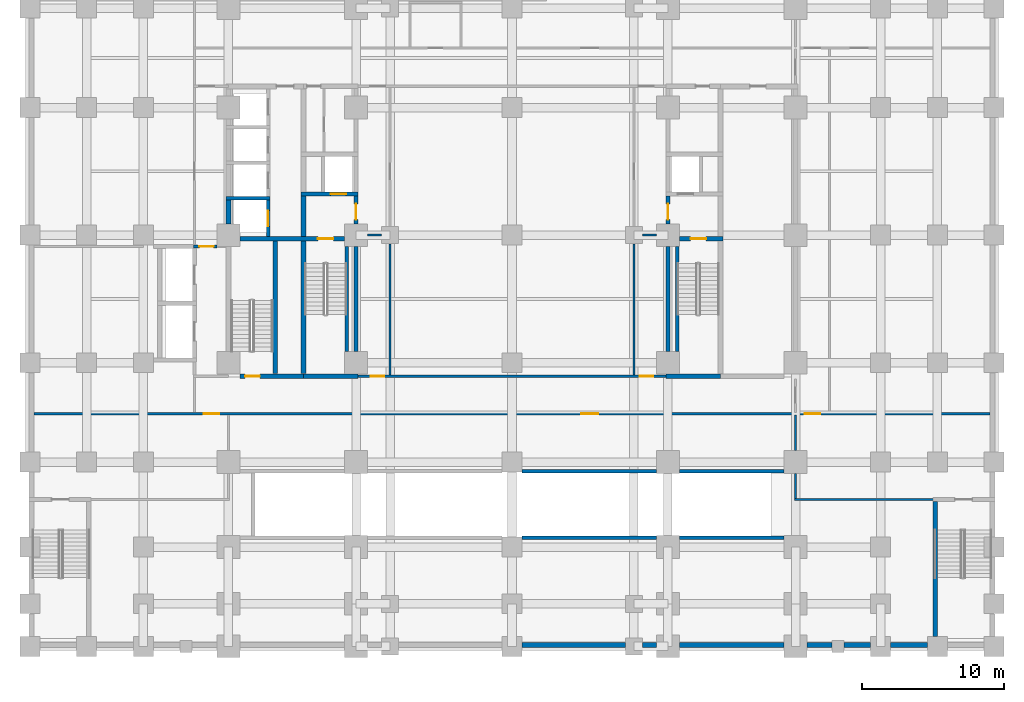
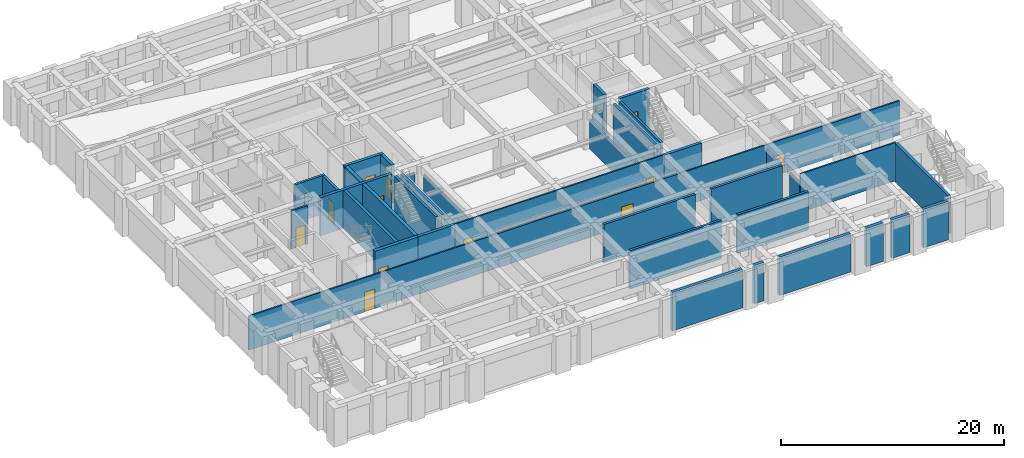
# One storey, part 5 of 14: 39 walls, 13 doors, 13 openings.
"""IFC4 building model written with IfcOpenShell, lengths in metres."""

from ifc_helpers import new_model, si_unit, direction, frame, frame_2d, origin, place, context, subcontext, project, spatial, rectangle, extrude, material, layer, layer_set, type_object, element, fill, save


model = new_model("IFC4")

# Units and contexts
model_context = context("Model", 3, precision=1e-05, world=origin(), true_north=direction((0.0, 1.0)))
body_context = subcontext(model_context, "Body", "Model", "MODEL_VIEW")
ifc_project = project(units=[si_unit("LENGTHUNIT", "METRE"), si_unit("AREAUNIT", "SQUARE_METRE"), si_unit("VOLUMEUNIT", "CUBIC_METRE"), si_unit("PLANEANGLEUNIT", "RADIAN"), si_unit("MASSUNIT", "GRAM", prefix="KILO")], contexts=[model_context])

# Site, building, storey
site_placement = place(None, origin())
site = spatial("IfcSite", under=ifc_project, at=site_placement, CompositionType="ELEMENT")
building_placement = place(site_placement, origin())
building = spatial("IfcBuilding", under=site, at=building_placement, Name="Zulmaris Gate Convention Tower", CompositionType="ELEMENT")
storey_placement = place(building_placement, frame((0.0, 0.0, -4.550048828125)))
storey = spatial("IfcBuildingStorey", under=building, at=storey_placement, Name="B1", CompositionType="ELEMENT", Elevation=-4.550048828125)

# Walls
ifc_material_1 = material(Name="Concrete C50/60", Category="concrete")
ifc_layer_1 = layer(ifc_material_1, 0.25, Name="Concrete C50/60")
ifc_layer_set_1 = layer_set([ifc_layer_1], Name="Concrete C50/60")
wall_type_1 = type_object("IfcWallType", Name="CORE-250", PredefinedType="SOLIDWALL", material=ifc_layer_set_1)
wall_1_placement = place(storey_placement, frame((0.7041015625, -21.35009765625, 0.0), z_axis=(0.0, 0.0, 1.0), x_axis=(1.0, 0.0, 0.0)))
element("IfcWall", 1, at=wall_1_placement, inside=storey, type_object=wall_type_1, Name="WL-B1-002S2", PredefinedType="SOLIDWALL", context=body_context, shape_type="SweptSolid", body=[
    extrude(rectangle(XDim=9.491943359375, YDim=0.25, at=frame_2d((4.74609375, 0.0))), origin(), (0.0, 0.0, 1.0), 4.199951171875),
])
wall_2_placement = place(storey_placement, frame((11.803955078125, -21.35009765625, 0.0), z_axis=(0.0, 0.0, 1.0), x_axis=(1.0, 0.0, 0.0)))
element("IfcWall", 2, at=wall_2_placement, inside=storey, type_object=wall_type_1, Name="WL-B1-002S3", PredefinedType="SOLIDWALL", context=body_context, shape_type="SweptSolid", body=[
    extrude(rectangle(XDim=7.39208984375, YDim=0.25, at=frame_2d((3.696044921875, 0.0))), origin(), (0.0, 0.0, 1.0), 4.199951171875),
])
wall_3_placement = place(storey_placement, frame((0.7041015625, -16.64990234375, 0.0), z_axis=(0.0, 0.0, 1.0), x_axis=(1.0, 0.0, 0.0)))
element("IfcWall", 3, at=wall_3_placement, inside=storey, type_object=wall_type_1, Name="WL-B1-005S2", PredefinedType="SOLIDWALL", context=body_context, shape_type="SweptSolid", body=[
    extrude(rectangle(XDim=9.491943359375, YDim=0.25, at=frame_2d((4.74609375, 0.0))), origin(), (0.0, 0.0, 1.0), 4.199951171875),
])
wall_4_placement = place(storey_placement, frame((11.803955078125, -16.64990234375, 0.0), z_axis=(0.0, 0.0, 1.0), x_axis=(1.0, 0.0, 0.0)))
element("IfcWall", 4, at=wall_4_placement, inside=storey, type_object=wall_type_1, Name="WL-B1-005S3", PredefinedType="SOLIDWALL", context=body_context, shape_type="SweptSolid", body=[
    extrude(rectangle(XDim=7.39208984375, YDim=0.25, at=frame_2d((3.696044921875, 0.0))), origin(), (0.0, 0.0, 1.0), 4.199951171875),
])
wall_5_placement = place(storey_placement, frame((-20.175048828125, 2.60009765625, 0.0), z_axis=(0.0, 0.0, 1.0), x_axis=(1.0, 0.0, 0.0)))
element("IfcWall", 5, at=wall_5_placement, inside=storey, type_object=wall_type_1, Name="WL-B1-015", PredefinedType="SOLIDWALL", context=body_context, shape_type="SweptSolid", body=[
    extrude(rectangle(XDim=3.10009765625, YDim=0.25, at=frame_2d((1.550048828125, 0.0))), origin(), (0.0, 0.0, 1.0), 4.199951171875),
])

# Wall, opening, door
wall_6_placement = place(storey_placement, frame((-17.199951171875, -0.097900390625, 0.0), z_axis=(0.0, 0.0, 1.0), x_axis=(0.0, 1.0, 0.0)))
wall_6 = element("IfcWall", 6, at=wall_6_placement, inside=storey, type_object=wall_type_1, Name="WL-B1-059", PredefinedType="SOLIDWALL", context=body_context, shape_type="SweptSolid", body=[
    extrude(rectangle(XDim=2.57080078125, YDim=0.25, at=frame_2d((1.285400390625, 0.0))), origin(), (0.0, 0.0, 1.0), 4.199951171875),
])
opening_1_placement = place(wall_6_placement, frame((0.722900390625, 0.0, 0.0)))
opening_1 = element("IfcOpeningElement", 7, at=opening_1_placement, cuts=wall_6, Name="Opening D-06", PredefinedType="OPENING", context=body_context, shape_type="SweptSolid", body=[
    extrude(rectangle(XDim=1.10009765625, YDim=2.199951171875, at=frame_2d((0.550048828125, 1.10009765625))), frame((0.0, 0.135009765625, 0.0), z_axis=(0.0, -1.0, 0.0), x_axis=(1.0, 0.0, 0.0)), (0.0, 0.0, 1.0), 0.27001953125),
])
ifc_material_2 = material(Name="Brushed Stainless Steel", Category="steel")
door_type_1 = type_object("IfcDoorType", Name="LD-1100", OperationType="NOTDEFINED", PredefinedType="DOOR", material=ifc_material_2)
door_1_placement = place(opening_1_placement, origin())
door_1 = element("IfcDoor", 8, at=door_1_placement, inside=storey, type_object=door_type_1, Name="B1 Lift Landing Door LP-01 12", OperationType="SLIDING_TO_LEFT", OverallHeight=2.199951171875, OverallWidth=1.10009765625, PredefinedType="DOOR", context=body_context, shape_type="SweptSolid", body=[
    extrude(rectangle(XDim=1.10009765625, YDim=2.199951171875, at=frame_2d((0.550048828125, 1.10009765625))), frame((0.0, 0.02490234375, 0.0), z_axis=(0.0, -1.0, 0.0), x_axis=(1.0, 0.0, 0.0)), (0.0, 0.0, 1.0), 0.050048828125),
])
fill(opening_1, door_1)

# Walls
for number, where, z_axis, x_axis, name in (
    (9, (-11.64990234375, -8.196044921875, 0.0), (0.0, 0.0, 1.0), (0.0, 1.0, 0.0), "WL-B1-069"),
    (10, (11.64990234375, -8.196044921875, 0.0), (0.0, 0.0, 1.0), (0.0, 1.0, 0.0), "WL-B1-078"),
):
    element("IfcWall", number, at=place(storey_placement, frame(where, z_axis=z_axis, x_axis=x_axis)), inside=storey, type_object=wall_type_1, Name=name, PredefinedType="SOLIDWALL", context=body_context, shape_type="SweptSolid", body=[
        extrude(rectangle(XDim=7.39208984375, YDim=0.25, at=frame_2d((3.696044921875, 0.0))), origin(), (0.0, 0.0, 1.0), 4.199951171875),
    ])
ifc_layer_2 = layer(ifc_material_1, 0.300048828125, Name="Concrete C50/60")
ifc_layer_set_2 = layer_set([ifc_layer_2], Name="Concrete C50/60")
wall_type_2 = type_object("IfcWallType", Name="CORE-300", PredefinedType="SHEAR", material=ifc_layer_set_2)
for number, where, z_axis, x_axis, name in (
    (11, (-14.699951171875, -9.949951171875, 0.0), (0.0, 0.0, 1.0), (1.0, 0.0, 0.0), "WL-B1-007"),
    (12, (10.85009765625, -9.949951171875, 0.0), (0.0, 0.0, 1.0), (1.0, 0.0, 0.0), "WL-B1-008"),
):
    element("IfcWall", number, at=place(storey_placement, frame(where, z_axis=z_axis, x_axis=x_axis)), inside=storey, type_object=wall_type_2, Name=name, PredefinedType="SHEAR", context=body_context, shape_type="SweptSolid", body=[
        extrude(rectangle(XDim=3.849853515625, YDim=0.300048828125, at=frame_2d((1.9248046875, 0.0))), origin(), (0.0, 0.0, 1.0), 4.199951171875),
    ])

# Wall, opening, door
wall_7_placement = place(storey_placement, frame((-19.196044921875, -0.25, 0.0), z_axis=(0.0, 0.0, 1.0), x_axis=(1.0, 0.0, 0.0)))
wall_7 = element("IfcWall", 13, at=wall_7_placement, inside=storey, type_object=wall_type_2, Name="WL-B1-013", PredefinedType="SHEAR", context=body_context, shape_type="SweptSolid", body=[
    extrude(rectangle(XDim=7.39208984375, YDim=0.300048828125, at=frame_2d((3.696044921875, 0.0))), origin(), (0.0, 0.0, 1.0), 4.199951171875),
])
opening_2_placement = place(wall_7_placement, frame((5.49609375, 0.0, 0.0)))
opening_2 = element("IfcOpeningElement", 14, at=opening_2_placement, cuts=wall_7, Name="Opening D-08", PredefinedType="OPENING", context=body_context, shape_type="SweptSolid", body=[
    extrude(rectangle(XDim=1.10009765625, YDim=2.14990234375, at=frame_2d((0.550048828125, 1.074951171875))), frame((0.0, 0.16015625, 0.0), z_axis=(0.0, -1.0, 0.0), x_axis=(1.0, 0.0, 0.0)), (0.0, 0.0, 1.0), 0.320068359375),
])
ifc_material_3 = material(Name="Fire-Rated Steel", Category="steel")
door_type_2 = type_object("IfcDoorType", Name="DR-1100-FD", OperationType="NOTDEFINED", PredefinedType="DOOR", material=ifc_material_3)
door_2_placement = place(opening_2_placement, origin())
door_2 = element("IfcDoor", 15, at=door_2_placement, inside=storey, type_object=door_type_2, Name="B1 Exit Stair ST-1 Door 01", OperationType="SINGLE_SWING_LEFT", OverallHeight=2.14990234375, OverallWidth=1.10009765625, PredefinedType="DOOR", context=body_context, shape_type="SweptSolid", body=[
    extrude(rectangle(XDim=1.10009765625, YDim=2.14990234375, at=frame_2d((0.550048828125, 1.074951171875))), frame((0.0, 0.02490234375, 0.0), z_axis=(0.0, -1.0, 0.0), x_axis=(1.0, 0.0, 0.0)), (0.0, 0.0, 1.0), 0.050048828125),
])
fill(opening_2, door_2)

wall_8_placement = place(storey_placement, frame((11.803955078125, -0.25, 0.0), z_axis=(0.0, 0.0, 1.0), x_axis=(1.0, 0.0, 0.0)))
wall_8 = element("IfcWall", 16, at=wall_8_placement, inside=storey, type_object=wall_type_2, Name="WL-B1-014", PredefinedType="SHEAR", context=body_context, shape_type="SweptSolid", body=[
    extrude(rectangle(XDim=3.071044921875, YDim=0.300048828125, at=frame_2d((1.53564453125, 0.0))), origin(), (0.0, 0.0, 1.0), 4.199951171875),
])
opening_3_placement = place(wall_8_placement, frame((0.7958984375, 0.0, 0.0)))
opening_3 = element("IfcOpeningElement", 17, at=opening_3_placement, cuts=wall_8, Name="Opening D-08", PredefinedType="OPENING", context=body_context, shape_type="SweptSolid", body=[
    extrude(rectangle(XDim=1.10009765625, YDim=2.14990234375, at=frame_2d((0.550048828125, 1.074951171875))), frame((0.0, 0.16015625, 0.0), z_axis=(0.0, -1.0, 0.0), x_axis=(1.0, 0.0, 0.0)), (0.0, 0.0, 1.0), 0.320068359375),
])
door_3_placement = place(opening_3_placement, origin())
door_3 = element("IfcDoor", 18, at=door_3_placement, inside=storey, type_object=door_type_2, Name="B1 Exit Stair ST-2 Door 04", OperationType="SINGLE_SWING_LEFT", OverallHeight=2.14990234375, OverallWidth=1.10009765625, PredefinedType="DOOR", context=body_context, shape_type="SweptSolid", body=[
    extrude(rectangle(XDim=1.10009765625, YDim=2.14990234375, at=frame_2d((0.550048828125, 1.074951171875))), frame((0.0, 0.02490234375, 0.0), z_axis=(0.0, -1.0, 0.0), x_axis=(1.0, 0.0, 0.0)), (0.0, 0.0, 1.0), 0.050048828125),
])
fill(opening_3, door_3)

wall_9_placement = place(storey_placement, frame((-14.875, 2.89990234375, 0.0), z_axis=(0.0, 0.0, 1.0), x_axis=(1.0, 0.0, 0.0)))
wall_9 = element("IfcWall", 19, at=wall_9_placement, inside=storey, type_object=wall_type_2, Name="WL-B1-016", PredefinedType="SHEAR", context=body_context, shape_type="SweptSolid", body=[
    extrude(rectangle(XDim=4.02490234375, YDim=0.300048828125, at=frame_2d((2.012451171875, 0.0))), origin(), (0.0, 0.0, 1.0), 4.199951171875),
])
opening_4_placement = place(wall_9_placement, frame((2.074951171875, 0.0, 0.0)))
opening_4 = element("IfcOpeningElement", 20, at=opening_4_placement, cuts=wall_9, Name="Opening D-06", PredefinedType="OPENING", context=body_context, shape_type="SweptSolid", body=[
    extrude(rectangle(XDim=1.10009765625, YDim=2.199951171875, at=frame_2d((0.550048828125, 1.10009765625))), frame((0.0, 0.16015625, 0.0), z_axis=(0.0, -1.0, 0.0), x_axis=(1.0, 0.0, 0.0)), (0.0, 0.0, 1.0), 0.320068359375),
])
door_4_placement = place(opening_4_placement, origin())
door_4 = element("IfcDoor", 21, at=door_4_placement, inside=storey, type_object=door_type_1, Name="B1 Lift Landing Door LF-01 03", OperationType="SLIDING_TO_LEFT", OverallHeight=2.199951171875, OverallWidth=1.10009765625, PredefinedType="DOOR", context=body_context, shape_type="SweptSolid", body=[
    extrude(rectangle(XDim=1.10009765625, YDim=2.199951171875, at=frame_2d((0.550048828125, 1.10009765625))), frame((0.0, 0.02490234375, 0.0), z_axis=(0.0, -1.0, 0.0), x_axis=(1.0, 0.0, 0.0)), (0.0, 0.0, 1.0), 0.050048828125),
])
fill(opening_4, door_4)

# Walls
wall_10_placement = place(storey_placement, frame((-16.699951171875, -9.77294921875, 0.0), z_axis=(0.0, 0.0, 1.0), x_axis=(0.0, 1.0, 0.0)))
element("IfcWall", 22, at=wall_10_placement, inside=storey, type_object=wall_type_2, Name="WL-B1-063", PredefinedType="SHEAR", context=body_context, shape_type="SweptSolid", body=[
    extrude(rectangle(XDim=9.370849609375, YDim=0.300048828125, at=frame_2d((4.685546875, 0.0))), origin(), (0.0, 0.0, 1.0), 4.199951171875),
])
wall_11_placement = place(storey_placement, frame((-11.0, -8.196044921875, 0.0), z_axis=(0.0, 0.0, 1.0), x_axis=(0.0, 1.0, 0.0)))
element("IfcWall", 23, at=wall_11_placement, inside=storey, type_object=wall_type_2, Name="WL-B1-070", PredefinedType="SHEAR", context=body_context, shape_type="SweptSolid", body=[
    extrude(rectangle(XDim=7.39208984375, YDim=0.300048828125, at=frame_2d((3.696044921875, 0.0))), origin(), (0.0, 0.0, 1.0), 4.199951171875),
])

# Wall, opening, door
wall_12_placement = place(storey_placement, frame((-11.0, 0.803955078125, 0.0), z_axis=(0.0, 0.0, 1.0), x_axis=(0.0, 1.0, 0.0)))
wall_12 = element("IfcWall", 24, at=wall_12_placement, inside=storey, type_object=wall_type_2, Name="WL-B1-071", PredefinedType="SHEAR", context=body_context, shape_type="SweptSolid", body=[
    extrude(rectangle(XDim=1.944091796875, YDim=0.300048828125, at=frame_2d((0.97216796875, 0.0))), origin(), (0.0, 0.0, 1.0), 4.199951171875),
])
opening_5_placement = place(wall_12_placement, frame((0.2958984375, 0.0, 0.0)))
opening_5 = element("IfcOpeningElement", 25, at=opening_5_placement, cuts=wall_12, Name="Opening D-08", PredefinedType="OPENING", context=body_context, shape_type="SweptSolid", body=[
    extrude(rectangle(XDim=1.10009765625, YDim=2.14990234375, at=frame_2d((0.550048828125, 1.074951171875))), frame((0.0, 0.16015625, 0.0), z_axis=(0.0, -1.0, 0.0), x_axis=(1.0, 0.0, 0.0)), (0.0, 0.0, 1.0), 0.320068359375),
])
door_5_placement = place(opening_5_placement, origin())
door_5 = element("IfcDoor", 26, at=door_5_placement, inside=storey, type_object=door_type_2, Name="B1 West Firefighting Lobby Door 02", OperationType="SINGLE_SWING_RIGHT", OverallHeight=2.14990234375, OverallWidth=1.10009765625, PredefinedType="DOOR", context=body_context, shape_type="SweptSolid", body=[
    extrude(rectangle(XDim=1.10009765625, YDim=2.14990234375, at=frame_2d((0.550048828125, 1.074951171875))), frame((0.0, 0.02490234375, 0.0), z_axis=(0.0, -1.0, 0.0), x_axis=(1.0, 0.0, 0.0)), (0.0, 0.0, 1.0), 0.050048828125),
])
fill(opening_5, door_5)

# Wall
wall_13_placement = place(storey_placement, frame((11.0, -8.196044921875, 0.0), z_axis=(0.0, 0.0, 1.0), x_axis=(0.0, 1.0, 0.0)))
element("IfcWall", 27, at=wall_13_placement, inside=storey, type_object=wall_type_2, Name="WL-B1-074", PredefinedType="SHEAR", context=body_context, shape_type="SweptSolid", body=[
    extrude(rectangle(XDim=7.39208984375, YDim=0.300048828125, at=frame_2d((3.696044921875, 0.0))), origin(), (0.0, 0.0, 1.0), 4.199951171875),
])

# Wall, opening, door
wall_14_placement = place(storey_placement, frame((11.0, 0.803955078125, 0.0), z_axis=(0.0, 0.0, 1.0), x_axis=(0.0, 1.0, 0.0)))
wall_14 = element("IfcWall", 28, at=wall_14_placement, inside=storey, type_object=wall_type_2, Name="WL-B1-075", PredefinedType="SHEAR", context=body_context, shape_type="SweptSolid", body=[
    extrude(rectangle(XDim=1.944091796875, YDim=0.300048828125, at=frame_2d((0.97216796875, 0.0))), origin(), (0.0, 0.0, 1.0), 4.199951171875),
])
opening_6_placement = place(wall_14_placement, frame((0.2958984375, 0.0, 0.0)))
opening_6 = element("IfcOpeningElement", 29, at=opening_6_placement, cuts=wall_14, Name="Opening D-08", PredefinedType="OPENING", context=body_context, shape_type="SweptSolid", body=[
    extrude(rectangle(XDim=1.10009765625, YDim=2.14990234375, at=frame_2d((0.550048828125, 1.074951171875))), frame((0.0, 0.16015625, 0.0), z_axis=(0.0, -1.0, 0.0), x_axis=(1.0, 0.0, 0.0)), (0.0, 0.0, 1.0), 0.320068359375),
])
door_6_placement = place(opening_6_placement, origin())
door_6 = element("IfcDoor", 30, at=door_6_placement, inside=storey, type_object=door_type_2, Name="B1 East Firefighting Lobby Door 05", OperationType="SINGLE_SWING_RIGHT", OverallHeight=2.14990234375, OverallWidth=1.10009765625, PredefinedType="DOOR", context=body_context, shape_type="SweptSolid", body=[
    extrude(rectangle(XDim=1.10009765625, YDim=2.14990234375, at=frame_2d((0.550048828125, 1.074951171875))), frame((0.0, 0.02490234375, 0.0), z_axis=(0.0, -1.0, 0.0), x_axis=(1.0, 0.0, 0.0)), (0.0, 0.0, 1.0), 0.050048828125),
])
fill(opening_6, door_6)

# Walls
wall_15_placement = place(storey_placement, frame((29.85009765625, -28.2958984375, 0.0), z_axis=(0.0, 0.0, 1.0), x_axis=(0.0, 1.0, 0.0)))
element("IfcWall", 31, at=wall_15_placement, inside=storey, type_object=wall_type_2, Name="WL-B1-085", PredefinedType="SHEAR", context=body_context, shape_type="SweptSolid", body=[
    extrude(rectangle(XDim=9.493896484375, YDim=0.300048828125, at=frame_2d((4.7470703125, 0.0))), origin(), (0.0, 0.0, 1.0), 4.199951171875),
])
ifc_material_4 = material(Name="Concrete C55/67", Category="concrete")
ifc_layer_3 = layer(ifc_material_4, 0.35009765625, Name="Concrete C55/67")
ifc_layer_set_3 = layer_set([ifc_layer_3], Name="Concrete C55/67")
wall_type_3 = type_object("IfcWallType", Name="CORE-350", PredefinedType="SHEAR", material=ifc_layer_set_3)
wall_16_placement = place(storey_placement, frame((0.7041015625, -28.89990234375, 0.0), z_axis=(0.0, 0.0, 1.0), x_axis=(1.0, 0.0, 0.0)))
element("IfcWall", 32, at=wall_16_placement, inside=storey, type_object=wall_type_3, Name="WL-B1-001S7", PredefinedType="SHEAR", context=body_context, shape_type="SweptSolid", body=[
    extrude(rectangle(XDim=7.2919921875, YDim=0.35009765625, at=frame_2d((3.64599609375, 0.0))), origin(), (0.0, 0.0, 1.0), 4.199951171875),
])
wall_17_placement = place(storey_placement, frame((9.2041015625, -28.89990234375, 0.0), z_axis=(0.0, 0.0, 1.0), x_axis=(1.0, 0.0, 0.0)))
element("IfcWall", 33, at=wall_17_placement, inside=storey, type_object=wall_type_3, Name="WL-B1-001S8", PredefinedType="SHEAR", context=body_context, shape_type="SweptSolid", body=[
    extrude(rectangle(XDim=0.991943359375, YDim=0.35009765625, at=frame_2d((0.49609375, 0.0))), origin(), (0.0, 0.0, 1.0), 4.199951171875),
])
wall_18_placement = place(storey_placement, frame((11.803955078125, -28.89990234375, 0.0), z_axis=(0.0, 0.0, 1.0), x_axis=(1.0, 0.0, 0.0)))
element("IfcWall", 34, at=wall_18_placement, inside=storey, type_object=wall_type_3, Name="WL-B1-001S9", PredefinedType="SHEAR", context=body_context, shape_type="SweptSolid", body=[
    extrude(rectangle(XDim=7.39208984375, YDim=0.35009765625, at=frame_2d((3.696044921875, 0.0))), origin(), (0.0, 0.0, 1.0), 4.199951171875),
])
wall_19_placement = place(storey_placement, frame((20.803955078125, -28.89990234375, 0.0), z_axis=(0.0, 0.0, 1.0), x_axis=(1.0, 0.0, 0.0)))
element("IfcWall", 35, at=wall_19_placement, inside=storey, type_object=wall_type_3, Name="WL-B1-001S10", PredefinedType="SHEAR", context=body_context, shape_type="SweptSolid", body=[
    extrude(rectangle(XDim=1.76708984375, YDim=0.35009765625, at=frame_2d((0.883544921875, 0.0))), origin(), (0.0, 0.0, 1.0), 4.199951171875),
])
wall_20_placement = place(storey_placement, frame((23.428955078125, -28.89990234375, 0.0), z_axis=(0.0, 0.0, 1.0), x_axis=(1.0, 0.0, 0.0)))
element("IfcWall", 36, at=wall_20_placement, inside=storey, type_object=wall_type_3, Name="WL-B1-001S11", PredefinedType="SHEAR", context=body_context, shape_type="SweptSolid", body=[
    extrude(rectangle(XDim=1.866943359375, YDim=0.35009765625, at=frame_2d((0.93359375, 0.0))), origin(), (0.0, 0.0, 1.0), 4.199951171875),
])
wall_21_placement = place(storey_placement, frame((26.7041015625, -28.89990234375, 0.0), z_axis=(0.0, 0.0, 1.0), x_axis=(1.0, 0.0, 0.0)))
element("IfcWall", 37, at=wall_21_placement, inside=storey, type_object=wall_type_3, Name="WL-B1-001S12", PredefinedType="SHEAR", context=body_context, shape_type="SweptSolid", body=[
    extrude(rectangle(XDim=2.591796875, YDim=0.35009765625, at=frame_2d((1.2958984375, 0.0))), origin(), (0.0, 0.0, 1.0), 4.199951171875),
])

# Wall, opening, door
wall_22_placement = place(storey_placement, frame((-19.196044921875, -9.949951171875, 0.0), z_axis=(0.0, 0.0, 1.0), x_axis=(1.0, 0.0, 0.0)))
wall_22 = element("IfcWall", 38, at=wall_22_placement, inside=storey, type_object=wall_type_3, Name="WL-B1-006", PredefinedType="SHEAR", context=body_context, shape_type="SweptSolid", body=[
    extrude(rectangle(XDim=4.49609375, YDim=0.35009765625, at=frame_2d((2.248046875, 0.0))), origin(), (0.0, 0.0, 1.0), 4.199951171875),
])
opening_7_placement = place(wall_22_placement, frame((0.37109375, 0.0, 0.0)))
opening_7 = element("IfcOpeningElement", 39, at=opening_7_placement, cuts=wall_22, Name="Opening D-09", PredefinedType="OPENING", context=body_context, shape_type="SweptSolid", body=[
    extrude(rectangle(XDim=1.050048828125, YDim=2.14990234375, at=frame_2d((0.52490234375, 1.074951171875))), frame((0.0, 0.18505859375, 0.0), z_axis=(0.0, -1.0, 0.0), x_axis=(1.0, 0.0, 0.0)), (0.0, 0.0, 1.0), 0.3701171875),
])
door_type_3 = type_object("IfcDoorType", Name="DR-1050-FD", OperationType="NOTDEFINED", PredefinedType="DOOR", material=ifc_material_3)
door_7_placement = place(opening_7_placement, origin())
door_7 = element("IfcDoor", 40, at=door_7_placement, inside=storey, type_object=door_type_3, Name="B1 Exit Stair ST-3 Door 10", OperationType="SINGLE_SWING_RIGHT", OverallHeight=2.14990234375, OverallWidth=1.050048828125, PredefinedType="DOOR", context=body_context, shape_type="SweptSolid", body=[
    extrude(rectangle(XDim=1.050048828125, YDim=2.14990234375, at=frame_2d((0.52490234375, 1.074951171875))), frame((0.0, 0.02490234375, 0.0), z_axis=(0.0, -1.0, 0.0), x_axis=(1.0, 0.0, 0.0)), (0.0, 0.0, 1.0), 0.050048828125),
])
fill(opening_7, door_7)

# Walls
wall_23_placement = place(storey_placement, frame((-20.0, 0.803955078125, 0.0), z_axis=(0.0, 0.0, 1.0), x_axis=(0.0, 1.0, 0.0)))
element("IfcWall", 41, at=wall_23_placement, inside=storey, type_object=wall_type_3, Name="WL-B1-054", PredefinedType="SHEAR", context=body_context, shape_type="SweptSolid", body=[
    extrude(rectangle(XDim=1.6689453125, YDim=0.35009765625, at=frame_2d((0.83447265625, 0.0))), origin(), (0.0, 0.0, 1.0), 4.199951171875),
])
wall_24_placement = place(storey_placement, frame((-14.699951171875, -9.77294921875, 0.0), z_axis=(0.0, 0.0, 1.0), x_axis=(0.0, 1.0, 0.0)))
element("IfcWall", 42, at=wall_24_placement, inside=storey, type_object=wall_type_3, Name="WL-B1-064", PredefinedType="SHEAR", context=body_context, shape_type="SweptSolid", body=[
    extrude(rectangle(XDim=9.370849609375, YDim=0.35009765625, at=frame_2d((4.685546875, 0.0))), origin(), (0.0, 0.0, 1.0), 4.199951171875),
])
wall_25_placement = place(storey_placement, frame((-14.699951171875, -0.097900390625, 0.0), z_axis=(0.0, 0.0, 1.0), x_axis=(0.0, 1.0, 0.0)))
element("IfcWall", 43, at=wall_25_placement, inside=storey, type_object=wall_type_3, Name="WL-B1-065", PredefinedType="SHEAR", context=body_context, shape_type="SweptSolid", body=[
    extrude(rectangle(XDim=2.845947265625, YDim=0.35009765625, at=frame_2d((1.4228515625, 0.0))), origin(), (0.0, 0.0, 1.0), 4.199951171875),
])
ifc_material_5 = material(Name="Gypsum Metal Stud Partition")
ifc_layer_4 = layer(ifc_material_5, 0.14990234375, Name="Gypsum Metal Stud Partition")
ifc_layer_set_4 = layer_set([ifc_layer_4], Name="Gypsum Metal Stud Partition")
wall_type_4 = type_object("IfcWallType", Name="PART-150", PredefinedType="PARTITIONING", material=ifc_layer_set_4)
wall_26_placement = place(storey_placement, frame((19.925048828125, -18.64990234375, 0.0), z_axis=(0.0, 0.0, 1.0), x_axis=(1.0, 0.0, 0.0)))
element("IfcWall", 44, at=wall_26_placement, inside=storey, type_object=wall_type_4, Name="WL-B1-031", PredefinedType="PARTITIONING", context=body_context, shape_type="SweptSolid", body=[
    extrude(rectangle(XDim=9.925048828125, YDim=0.14990234375, at=frame_2d((4.96240234375, 0.0))), origin(), (0.0, 0.0, 1.0), 4.199951171875),
])

# Wall, openings, doors
wall_27_placement = place(storey_placement, frame((-33.721923828125, -12.60009765625, 0.0), z_axis=(0.0, 0.0, 1.0), x_axis=(1.0, 0.0, 0.0)))
wall_27 = element("IfcWall", 45, at=wall_27_placement, inside=storey, type_object=wall_type_4, Name="WL-B1-032", PredefinedType="PARTITIONING", context=body_context, shape_type="SweptSolid", body=[
    extrude(rectangle(XDim=67.44384765625, YDim=0.14990234375, at=frame_2d((33.721923828125, 0.0))), origin(), (0.0, 0.0, 1.0), 3.739990234375),
])
opening_8_placement = place(wall_27_placement, frame((11.971923828125, 0.0, 0.0)))
opening_8 = element("IfcOpeningElement", 46, at=opening_8_placement, cuts=wall_27, Name="Opening D-08", PredefinedType="OPENING", context=body_context, shape_type="SweptSolid", body=[
    extrude(rectangle(XDim=1.10009765625, YDim=2.14990234375, at=frame_2d((0.550048828125, 1.074951171875))), frame((0.0, 0.0849609375, 0.0), z_axis=(0.0, -1.0, 0.0), x_axis=(1.0, 0.0, 0.0)), (0.0, 0.0, 1.0), 0.169921875),
])
opening_9_placement = place(wall_27_placement, frame((54.3720703125, 0.0, 0.0)))
opening_9 = element("IfcOpeningElement", 47, at=opening_9_placement, cuts=wall_27, Name="Opening D-08", PredefinedType="OPENING", context=body_context, shape_type="SweptSolid", body=[
    extrude(rectangle(XDim=1.10009765625, YDim=2.14990234375, at=frame_2d((0.550048828125, 1.074951171875))), frame((0.0, 0.0849609375, 0.0), z_axis=(0.0, -1.0, 0.0), x_axis=(1.0, 0.0, 0.0)), (0.0, 0.0, 1.0), 0.169921875),
])
opening_10_placement = place(wall_27_placement, frame((38.6220703125, 0.0, 0.0)))
opening_10 = element("IfcOpeningElement", 48, at=opening_10_placement, cuts=wall_27, Name="Opening D-13", PredefinedType="OPENING", context=body_context, shape_type="SweptSolid", body=[
    extrude(rectangle(XDim=1.199951171875, YDim=2.14990234375, at=frame_2d((0.60009765625, 1.074951171875))), frame((0.0, 0.0849609375, 0.0), z_axis=(0.0, -1.0, 0.0), x_axis=(1.0, 0.0, 0.0)), (0.0, 0.0, 1.0), 0.169921875),
])
door_8_placement = place(opening_8_placement, origin())
door_8 = element("IfcDoor", 49, at=door_8_placement, inside=storey, type_object=door_type_2, Name="B1 SW Stair Passage Link Door 28", OperationType="SINGLE_SWING_RIGHT", OverallHeight=2.14990234375, OverallWidth=1.10009765625, PredefinedType="DOOR", context=body_context, shape_type="SweptSolid", body=[
    extrude(rectangle(XDim=1.10009765625, YDim=2.14990234375, at=frame_2d((0.550048828125, 1.074951171875))), frame((0.0, 0.02490234375, 0.0), z_axis=(0.0, -1.0, 0.0), x_axis=(1.0, 0.0, 0.0)), (0.0, 0.0, 1.0), 0.050048828125),
])
fill(opening_8, door_8)
door_9_placement = place(opening_9_placement, origin())
door_9 = element("IfcDoor", 50, at=door_9_placement, inside=storey, type_object=door_type_2, Name="B1 SE Stair Corridor Link Door 32", OperationType="SINGLE_SWING_RIGHT", OverallHeight=2.14990234375, OverallWidth=1.10009765625, PredefinedType="DOOR", context=body_context, shape_type="SweptSolid", body=[
    extrude(rectangle(XDim=1.10009765625, YDim=2.14990234375, at=frame_2d((0.550048828125, 1.074951171875))), frame((0.0, 0.02490234375, 0.0), z_axis=(0.0, -1.0, 0.0), x_axis=(1.0, 0.0, 0.0)), (0.0, 0.0, 1.0), 0.050048828125),
])
fill(opening_9, door_9)
door_type_4 = type_object("IfcDoorType", Name="DR-1200-FD", OperationType="NOTDEFINED", PredefinedType="DOOR", material=ifc_material_3)
door_10_placement = place(opening_10_placement, origin())
door_10 = element("IfcDoor", 51, at=door_10_placement, inside=storey, type_object=door_type_4, Name="B1 Car Park South Corridor Door 36", OperationType="SINGLE_SWING_RIGHT", OverallHeight=2.14990234375, OverallWidth=1.199951171875, PredefinedType="DOOR", context=body_context, shape_type="SweptSolid", body=[
    extrude(rectangle(XDim=1.199951171875, YDim=2.14990234375, at=frame_2d((0.60009765625, 1.074951171875))), frame((0.0, 0.02490234375, 0.0), z_axis=(0.0, -1.0, 0.0), x_axis=(1.0, 0.0, 0.0)), (0.0, 0.0, 1.0), 0.050048828125),
])
fill(opening_10, door_10)

wall_28_placement = place(storey_placement, frame((-11.0, -9.949951171875, 0.0), z_axis=(0.0, 0.0, 1.0), x_axis=(1.0, 0.0, 0.0)))
wall_28 = element("IfcWall", 52, at=wall_28_placement, inside=storey, type_object=wall_type_4, Name="WL-B1-034", PredefinedType="PARTITIONING", context=body_context, shape_type="SweptSolid", body=[
    extrude(rectangle(XDim=22.0, YDim=0.14990234375, at=frame_2d((11.0, 0.0))), origin(), (0.0, 0.0, 1.0), 4.199951171875),
])
opening_11_placement = place(wall_28_placement, frame((1.044921875, 0.0, 0.0)))
opening_11 = element("IfcOpeningElement", 53, at=opening_11_placement, cuts=wall_28, Name="Opening D-11", PredefinedType="OPENING", context=body_context, shape_type="SweptSolid", body=[
    extrude(rectangle(XDim=0.949951171875, YDim=2.14990234375, at=frame_2d((0.47509765625, 1.074951171875))), frame((0.0, 0.0849609375, 0.0), z_axis=(0.0, -1.0, 0.0), x_axis=(1.0, 0.0, 0.0)), (0.0, 0.0, 1.0), 0.169921875),
])
opening_12_placement = place(wall_28_placement, frame((20.0048828125, 0.0, 0.0)))
opening_12 = element("IfcOpeningElement", 54, at=opening_12_placement, cuts=wall_28, Name="Opening D-11", PredefinedType="OPENING", context=body_context, shape_type="SweptSolid", body=[
    extrude(rectangle(XDim=0.949951171875, YDim=2.14990234375, at=frame_2d((0.47509765625, 1.074951171875))), frame((0.0, 0.0849609375, 0.0), z_axis=(0.0, -1.0, 0.0), x_axis=(1.0, 0.0, 0.0)), (0.0, 0.0, 1.0), 0.169921875),
])
ifc_material_6 = material(Name="Fire-Rated Timber", Category="wood")
door_type_5 = type_object("IfcDoorType", Name="DR-950-FD", OperationType="NOTDEFINED", PredefinedType="DOOR", material=ifc_material_6)
door_11_placement = place(opening_11_placement, origin())
door_11 = element("IfcDoor", 55, at=door_11_placement, inside=storey, type_object=door_type_5, Name="B1 SW Core Store Door 24", OperationType="SINGLE_SWING_RIGHT", OverallHeight=2.14990234375, OverallWidth=0.949951171875, PredefinedType="DOOR", context=body_context, shape_type="SweptSolid", body=[
    extrude(rectangle(XDim=0.949951171875, YDim=2.14990234375, at=frame_2d((0.47509765625, 1.074951171875))), frame((0.0, 0.02490234375, 0.0), z_axis=(0.0, -1.0, 0.0), x_axis=(1.0, 0.0, 0.0)), (0.0, 0.0, 1.0), 0.050048828125),
])
fill(opening_11, door_11)
door_12_placement = place(opening_12_placement, origin())
door_12 = element("IfcDoor", 56, at=door_12_placement, inside=storey, type_object=door_type_5, Name="B1 SE Core Store Door 26", OperationType="SINGLE_SWING_RIGHT", OverallHeight=2.14990234375, OverallWidth=0.949951171875, PredefinedType="DOOR", context=body_context, shape_type="SweptSolid", body=[
    extrude(rectangle(XDim=0.949951171875, YDim=2.14990234375, at=frame_2d((0.47509765625, 1.074951171875))), frame((0.0, 0.02490234375, 0.0), z_axis=(0.0, -1.0, 0.0), x_axis=(1.0, 0.0, 0.0)), (0.0, 0.0, 1.0), 0.050048828125),
])
fill(opening_12, door_12)

# Walls
for number, where, z_axis, x_axis, name in (
    (57, (-10.194091796875, 0.0, 0.0), (0.0, 0.0, 1.0), (1.0, 0.0, 0.0), "WL-B1-037"),
    (58, (9.2060546875, 0.0, 0.0), (0.0, 0.0, 1.0), (1.0, 0.0, 0.0), "WL-B1-038"),
):
    element("IfcWall", number, at=place(storey_placement, frame(where, z_axis=z_axis, x_axis=x_axis)), inside=storey, type_object=wall_type_4, Name=name, PredefinedType="PARTITIONING", context=body_context, shape_type="SweptSolid", body=[
        extrude(rectangle(XDim=0.988037109375, YDim=0.14990234375, at=frame_2d((0.494140625, 0.0))), origin(), (0.0, 0.0, 1.0), 3.241943359375),
    ])
for number, where, z_axis, x_axis, name in (
    (59, (-8.60009765625, -9.8720703125, 0.0), (0.0, 0.0, 1.0), (0.0, 1.0, 0.0), "WL-B1-098"),
    (60, (8.60009765625, -9.8720703125, 0.0), (0.0, 0.0, 1.0), (0.0, 1.0, 0.0), "WL-B1-102"),
):
    element("IfcWall", number, at=place(storey_placement, frame(where, z_axis=z_axis, x_axis=x_axis)), inside=storey, type_object=wall_type_4, Name=name, PredefinedType="PARTITIONING", context=body_context, shape_type="SweptSolid", body=[
        extrude(rectangle(XDim=9.26611328125, YDim=0.14990234375, at=frame_2d((4.633056640625, 0.0))), origin(), (0.0, 0.0, 1.0), 3.241943359375),
    ])
wall_29_placement = place(storey_placement, frame((20.0, -18.572021484375, 0.0), z_axis=(0.0, 0.0, 1.0), x_axis=(0.0, 1.0, 0.0)))
element("IfcWall", 61, at=wall_29_placement, inside=storey, type_object=wall_type_4, Name="WL-B1-104", PredefinedType="PARTITIONING", context=body_context, shape_type="SweptSolid", body=[
    extrude(rectangle(XDim=1.76611328125, YDim=0.14990234375, at=frame_2d((0.883056640625, 0.0))), origin(), (0.0, 0.0, 1.0), 3.241943359375),
])
wall_30_placement = place(storey_placement, frame((20.0, -15.194091796875, 0.0), z_axis=(0.0, 0.0, 1.0), x_axis=(0.0, 1.0, 0.0)))
element("IfcWall", 62, at=wall_30_placement, inside=storey, type_object=wall_type_4, Name="WL-B1-105", PredefinedType="PARTITIONING", context=body_context, shape_type="SweptSolid", body=[
    extrude(rectangle(XDim=2.51611328125, YDim=0.14990234375, at=frame_2d((1.258056640625, 0.0))), origin(), (0.0, 0.0, 1.0), 3.241943359375),
])

# Wall, opening, door
ifc_material_7 = material(Name="Autoclaved Aerated Concrete Block and Plasterboard", Category="concrete")
ifc_layer_5 = layer(ifc_material_7, 0.199951171875, Name="Autoclaved Aerated Concrete Block and Plasterboard")
ifc_layer_set_5 = layer_set([ifc_layer_5], Name="Autoclaved Aerated Concrete Block and Plasterboard")
wall_type_5 = type_object("IfcWallType", Name="PART-200", PredefinedType="PARTITIONING", material=ifc_layer_set_5)
wall_31_placement = place(storey_placement, frame((-22.47509765625, -0.800048828125, 0.0), z_axis=(0.0, 0.0, 1.0), x_axis=(1.0, 0.0, 0.0)))
wall_31 = element("IfcWall", 63, at=wall_31_placement, inside=storey, type_object=wall_type_5, Name="WL-B1-036", PredefinedType="PARTITIONING", context=body_context, shape_type="SweptSolid", body=[
    extrude(rectangle(XDim=1.669189453125, YDim=0.199951171875, at=frame_2d((0.83447265625, 0.0))), origin(), (0.0, 0.0, 1.0), 4.199951171875),
])
opening_13_placement = place(wall_31_placement, frame((0.425048828125, 0.0, 0.0)))
opening_13 = element("IfcOpeningElement", 64, at=opening_13_placement, cuts=wall_31, Name="Opening D-10", PredefinedType="OPENING", context=body_context, shape_type="SweptSolid", body=[
    extrude(rectangle(XDim=1.0, YDim=2.14990234375, at=frame_2d((0.5, 1.074951171875))), frame((0.0, 0.10986328125, 0.0), z_axis=(0.0, -1.0, 0.0), x_axis=(1.0, 0.0, 0.0)), (0.0, 0.0, 1.0), 0.219970703125),
])
door_type_6 = type_object("IfcDoorType", Name="DR-1000-FD", OperationType="NOTDEFINED", PredefinedType="DOOR", material=ifc_material_6)
door_13_placement = place(opening_13_placement, origin())
door_13 = element("IfcDoor", 65, at=door_13_placement, inside=storey, type_object=door_type_6, Name="B1 Goods Vestibule Door 19", OperationType="SINGLE_SWING_LEFT", OverallHeight=2.14990234375, OverallWidth=1.0, PredefinedType="DOOR", context=body_context, shape_type="SweptSolid", body=[
    extrude(rectangle(XDim=1.0, YDim=2.14990234375, at=frame_2d((0.5, 1.074951171875))), frame((0.0, 0.02490234375, 0.0), z_axis=(0.0, -1.0, 0.0), x_axis=(1.0, 0.0, 0.0)), (0.0, 0.0, 1.0), 0.050048828125),
])
fill(opening_13, door_13)

save(model, "model.ifc")
